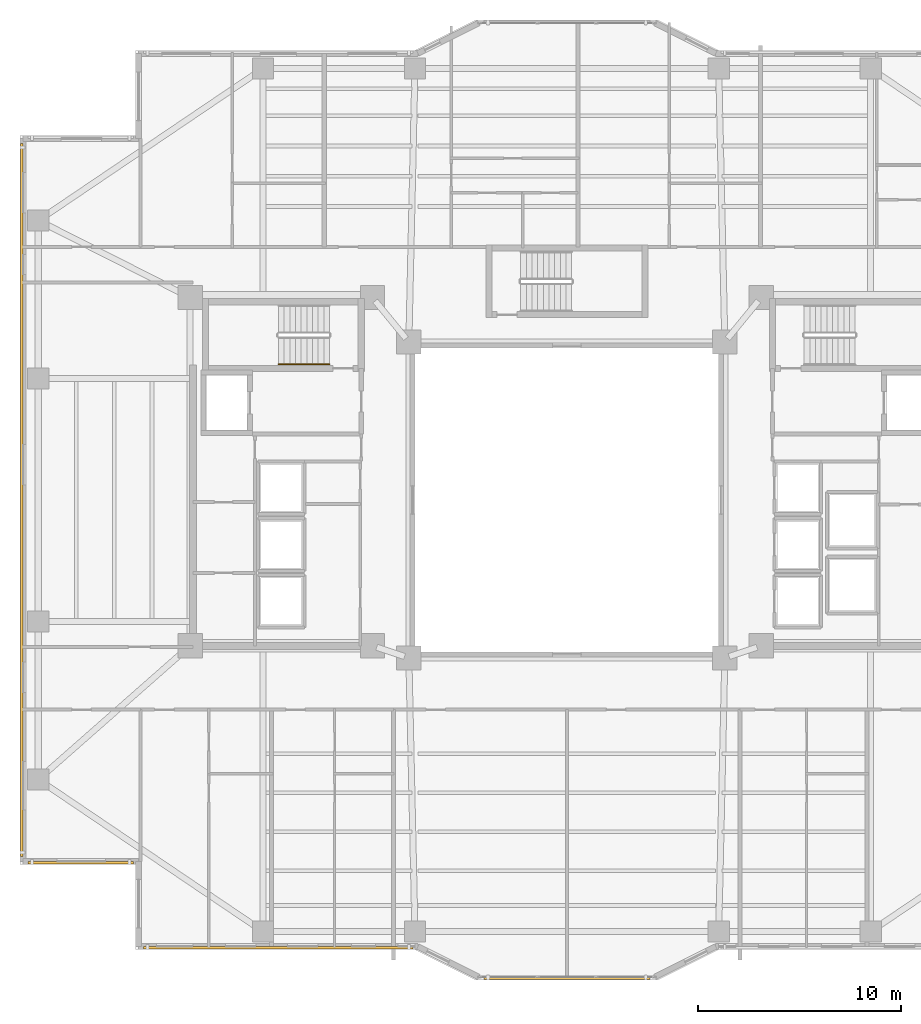
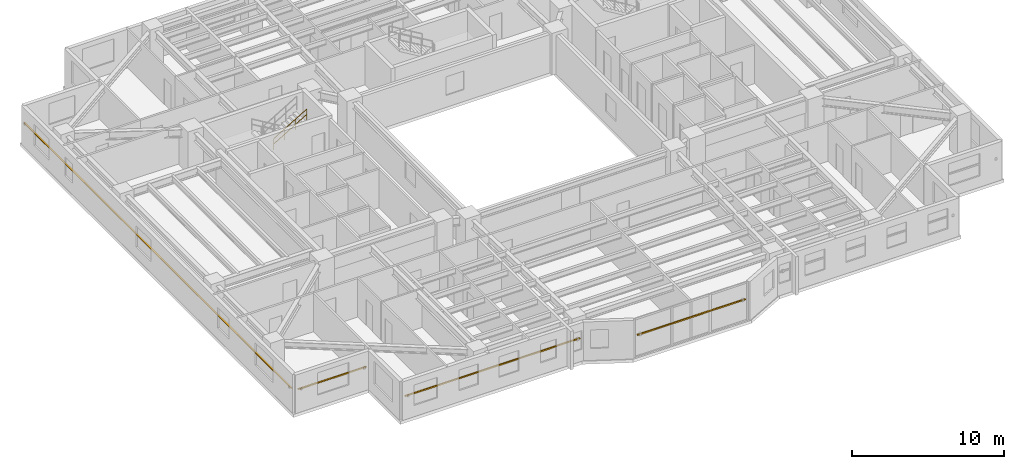
# One storey, part 14 of 18: 4 shading devices, 1 railing.
"""IFC4 building model written with IfcOpenShell, lengths in metres."""

from ifc_helpers import new_model, si_unit, direction, frame, origin, origin_2d, place, context, subcontext, project, spatial, rectangle, circle, extrude, material, material_profile, profile_set, type_object, element, save


model = new_model("IFC4")

# Units and contexts
model_context = context("Model", 3, precision=1e-05, world=origin(), true_north=direction((0.0, 1.0)))
body_context = subcontext(model_context, "Body", "Model", "MODEL_VIEW")
ifc_project = project(units=[si_unit("LENGTHUNIT", "METRE"), si_unit("AREAUNIT", "SQUARE_METRE"), si_unit("VOLUMEUNIT", "CUBIC_METRE"), si_unit("PLANEANGLEUNIT", "RADIAN"), si_unit("MASSUNIT", "GRAM", prefix="KILO")], contexts=[model_context])

# Site, building, storey
site_placement = place(None, origin())
site = spatial("IfcSite", under=ifc_project, at=site_placement, CompositionType="ELEMENT")
building_placement = place(site_placement, origin())
building = spatial("IfcBuilding", under=site, at=building_placement, Name="Tarnavaz Court Tower", CompositionType="ELEMENT")
storey_placement = place(building_placement, frame((0.0, 0.0, 101.75)))
storey = spatial("IfcBuildingStorey", under=building, at=storey_placement, Name="L27", CompositionType="ELEMENT", Elevation=101.75)

# Railing
ifc_material_1 = material(Name="Brushed Stainless Steel", Category="steel")
railing_type = type_object("IfcRailingType", Name="RL-HANDRAIL-900", PredefinedType="HANDRAIL", material=ifc_material_1)
railing_placement = place(storey_placement, frame((-14.239990234375, 6.699951171875, 1.842529296875)))
element("IfcRailing", 1, at=railing_placement, inside=storey, type_object=railing_type, Name="L27 ST-W1 stair handrail 2", PredefinedType="HANDRAIL", context=body_context, shape_type="SweptSolid", body=[
    extrude(circle(Radius=0.02392578125, at=origin_2d()), frame((0.0, 0.0, 0.8759765625), z_axis=(0.858159760407, 0.0, 0.513382728203), x_axis=(0.0, 1.0, 0.0)), (0.0, 0.0, 1.0), 2.9365234375),
    extrude(circle(Radius=0.02392578125, at=origin_2d()), frame((0.0, 0.0, 0.449951171875), z_axis=(0.858159760407, 0.0, 0.513382728203), x_axis=(0.0, 1.0, 0.0)), (0.0, 0.0, 1.0), 2.9365234375),
    extrude(circle(Radius=0.02099609375, at=origin_2d()), origin(), (0.0, 0.0, 1.0), 0.851806640625),
    extrude(circle(Radius=0.02099609375, at=origin_2d()), frame((0.840087890625, 0.0, 0.50244140625)), (0.0, 0.0, 1.0), 0.851806640625),
    extrude(circle(Radius=0.02099609375, at=origin_2d()), frame((1.679931640625, 0.0, 1.005126953125)), (0.0, 0.0, 1.0), 0.851806640625),
    extrude(circle(Radius=0.02099609375, at=origin_2d()), frame((2.52001953125, 0.0, 1.507568359375)), (0.0, 0.0, 1.0), 0.851806640625),
])

# Shading devices
ifc_material_2 = material(Name="Kiln-Fired Khorasan Terracotta Ceramic", Category="masonry")
ifc_material_profile = material_profile(ifc_material_2, rectangle(XDim=0.1201171875, YDim=0.06005859375, at=origin_2d()), Name="TC BAGUETTE 120X60")
ifc_profile_set = profile_set([ifc_material_profile], Name="Kiln-Fired Khorasan Terracotta Ceramic")
shading_device_type = type_object("IfcShadingDeviceType", Name="SD-BAG-120", PredefinedType="USERDEFINED", material=ifc_profile_set)
shading_device_1_placement = place(storey_placement, frame((-21.39990234375, -17.909912109375, 1.85009765625), z_axis=(-1.0, 0.0, 0.0), x_axis=(0.0, -1.0, 0.0)))
element("IfcShadingDevice", 2, at=shading_device_1_placement, inside=storey, type_object=shading_device_type, Name="L27 Terracotta Baguette Screen FBG01", ObjectType="BAGUETTE", PredefinedType="USERDEFINED", context=body_context, shape_type="SweptSolid", body=[
    extrude(rectangle(XDim=0.1201171875, YDim=0.06005859375, at=origin_2d()), origin(), (0.0, 0.0, 1.0), 5.2001953125),
])
shading_device_2_placement = place(storey_placement, frame((-26.909912109375, -17.60009765625, 1.85009765625), z_axis=(0.0, 1.0, 0.0), x_axis=(-1.0, 0.0, 0.0)))
element("IfcShadingDevice", 3, at=shading_device_2_placement, inside=storey, type_object=shading_device_type, Name="L27 Terracotta Baguette Screen FBG02", ObjectType="BAGUETTE", PredefinedType="USERDEFINED", context=body_context, shape_type="SweptSolid", body=[
    extrude(rectangle(XDim=0.1201171875, YDim=0.06005859375, at=origin_2d()), origin(), (0.0, 0.0, 1.0), 35.2001953125),
])
shading_device_3_placement = place(storey_placement, frame((4.10009765625, -23.610107421875, 1.800048828125), z_axis=(-1.0, 0.0, 0.0), x_axis=(0.0, -1.0, 0.0)))
element("IfcShadingDevice", 4, at=shading_device_3_placement, inside=storey, type_object=shading_device_type, Name="L27 Terracotta Baguette Screen PBG17", ObjectType="BAGUETTE", PredefinedType="USERDEFINED", context=body_context, shape_type="SweptSolid", body=[
    extrude(rectangle(XDim=0.1201171875, YDim=0.06005859375, at=origin_2d()), origin(), (0.0, 0.0, 1.0), 8.2001953125),
])
shading_device_4_placement = place(storey_placement, frame((-7.60009765625, -22.110107421875, 1.85009765625), z_axis=(-1.0, 0.0, 0.0), x_axis=(0.0, -1.0, 0.0)))
element("IfcShadingDevice", 5, at=shading_device_4_placement, inside=storey, type_object=shading_device_type, Name="L27 Terracotta Baguette Screen FBG19", ObjectType="BAGUETTE", PredefinedType="USERDEFINED", context=body_context, shape_type="SweptSolid", body=[
    extrude(rectangle(XDim=0.1201171875, YDim=0.06005859375, at=origin_2d()), origin(), (0.0, 0.0, 1.0), 13.2998046875),
])

save(model, "model.ifc")
